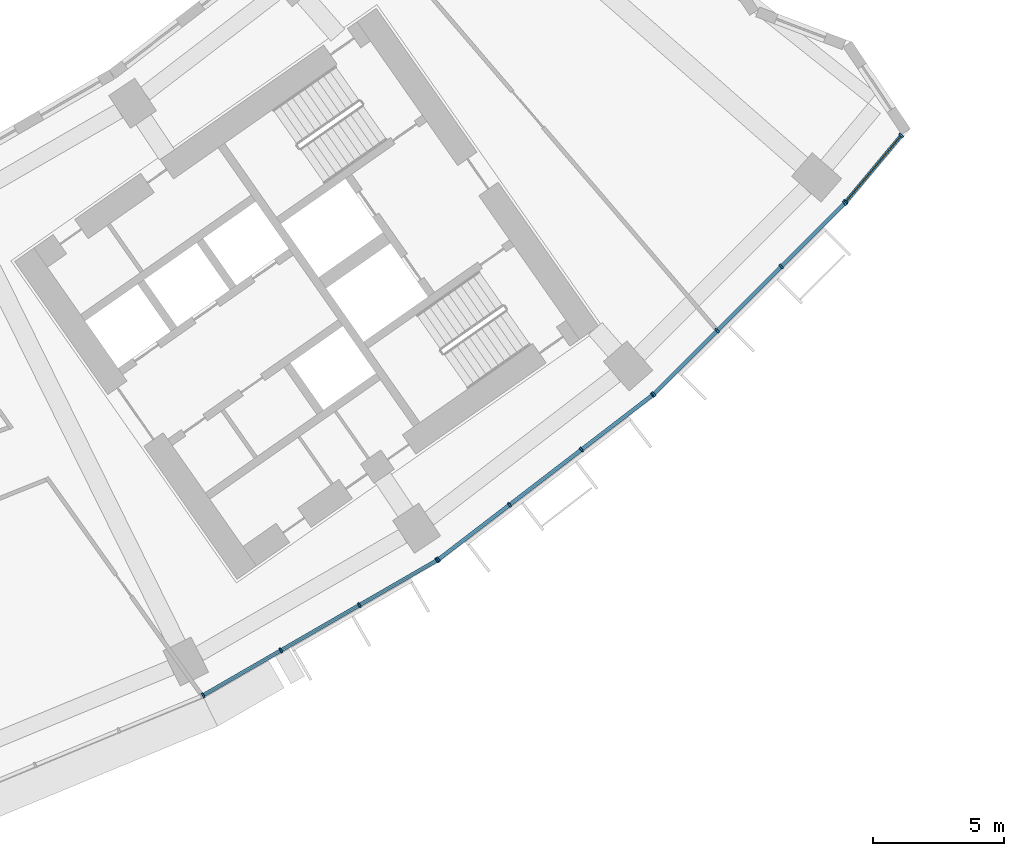
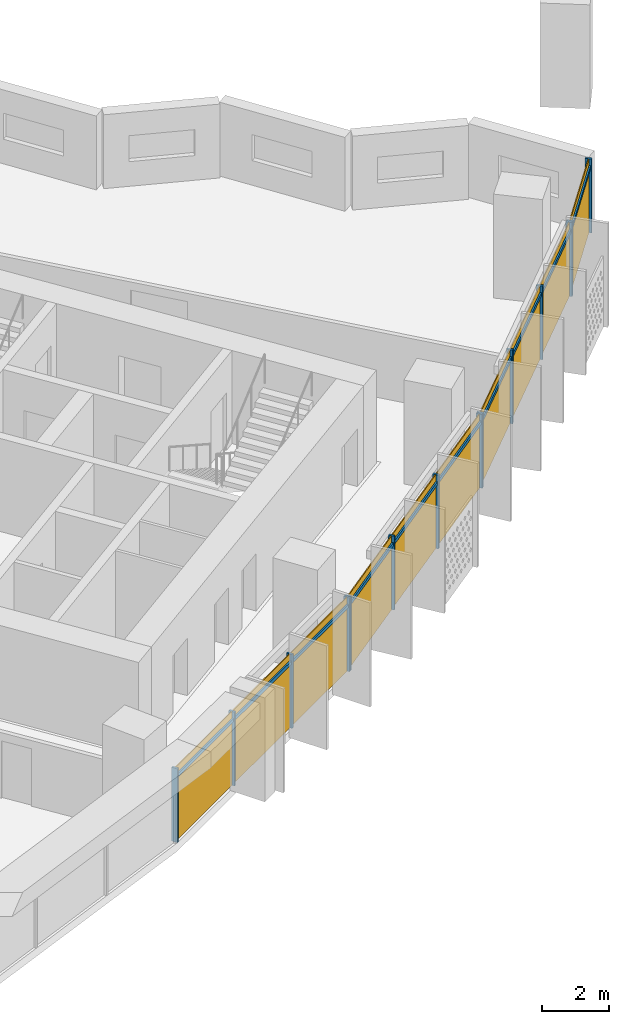
# One storey, part 21 of 28: 24 members, 4 curtain walls.
"""IFC4 building model written with IfcOpenShell, lengths in metres."""

from ifc_helpers import new_model, si_unit, direction, frame, origin, origin_2d, place, context, subcontext, project, spatial, rectangle, extrude, material, material_profile, profile_set, type_object, element, aggregate, save


model = new_model("IFC4")

# Units and contexts
model_context = context("Model", 3, precision=1e-05, world=origin(), true_north=direction((0.0, 1.0)))
body_context = subcontext(model_context, "Body", "Model", "MODEL_VIEW")
ifc_project = project(units=[si_unit("LENGTHUNIT", "METRE"), si_unit("AREAUNIT", "SQUARE_METRE"), si_unit("VOLUMEUNIT", "CUBIC_METRE"), si_unit("PLANEANGLEUNIT", "RADIAN"), si_unit("MASSUNIT", "GRAM", prefix="KILO")], contexts=[model_context])

# Member
ifc_material = material(Name="Aluminium 6063-T6 anodised", Category="aluminium")
ifc_material_profile_1 = material_profile(ifc_material, rectangle(XDim=0.199951171875, YDim=0.070068359375, at=origin_2d()))
ifc_profile_set_1 = profile_set([ifc_material_profile_1], Name="Aluminium 6063-T6 anodised")
member_type_1 = type_object("IfcMemberType", Name="Mullion 70 x 200 aluminium", PredefinedType="MULLION", material=ifc_profile_set_1)
site_placement = place(None, origin())
building_placement = place(site_placement, origin())
storey_placement = place(building_placement, frame((0.0, 0.0, 140.5)))
member_1_placement = place(storey_placement, frame((35.0537109375, -71.017822265625, 0.0), z_axis=(0.0, 0.0, 1.0), x_axis=(-0.5, 0.866025403784, 0.0)))
member_1 = element("IfcMember", 1, at=member_1_placement, type_object=member_type_1, Name="e-cw1-L32-out13/M00", PredefinedType="MULLION", context=body_context, shape_type="SweptSolid", body=[
    extrude(rectangle(XDim=0.199951171875, YDim=0.070068359375, at=origin_2d()), origin(), (0.0, 0.0, 1.0), 2.699951171875),
])

member_2_placement = place(storey_placement, frame((38.017822265625, -69.306640625, 0.0), z_axis=(0.0, 0.0, 1.0), x_axis=(-0.5, 0.866025403784, 0.0)))
member_2 = element("IfcMember", 2, at=member_2_placement, type_object=member_type_1, Name="e-cw1-L32-out13/M01", PredefinedType="MULLION", context=body_context, shape_type="SweptSolid", body=[
    extrude(rectangle(XDim=0.199951171875, YDim=0.070068359375, at=origin_2d()), origin(), (0.0, 0.0, 1.0), 2.699951171875),
])

member_3_placement = place(storey_placement, frame((41.01220703125, -67.577880859375, 0.0), z_axis=(0.0, 0.0, 1.0), x_axis=(-0.5, 0.866025403784, 0.0)))
member_3 = element("IfcMember", 3, at=member_3_placement, type_object=member_type_1, Name="e-cw1-L32-out13/M02", PredefinedType="MULLION", context=body_context, shape_type="SweptSolid", body=[
    extrude(rectangle(XDim=0.199951171875, YDim=0.070068359375, at=origin_2d()), origin(), (0.0, 0.0, 1.0), 2.699951171875),
])

member_4_placement = place(storey_placement, frame((43.976318359375, -65.866455078125, 0.0), z_axis=(0.0, 0.0, 1.0), x_axis=(-0.5, 0.866025403784, 0.0)))
member_4 = element("IfcMember", 4, at=member_4_placement, type_object=member_type_1, Name="e-cw1-L32-out13/M03", PredefinedType="MULLION", context=body_context, shape_type="SweptSolid", body=[
    extrude(rectangle(XDim=0.199951171875, YDim=0.070068359375, at=origin_2d()), origin(), (0.0, 0.0, 1.0), 2.699951171875),
])

member_5_placement = place(storey_placement, frame((44.023681640625, -65.8349609375, 0.0), z_axis=(0.0, 0.0, 1.0), x_axis=(-0.608761429009, 0.793353340291, 0.0)))
member_5 = element("IfcMember", 5, at=member_5_placement, type_object=member_type_1, Name="e-cw1-L32-out14/M00", PredefinedType="MULLION", context=body_context, shape_type="SweptSolid", body=[
    extrude(rectangle(XDim=0.199951171875, YDim=0.070068359375, at=origin_2d()), origin(), (0.0, 0.0, 1.0), 2.699951171875),
])

member_6_placement = place(storey_placement, frame((46.739013671875, -63.751220703125, 0.0), z_axis=(0.0, 0.0, 1.0), x_axis=(-0.608761429009, 0.793353340291, 0.0)))
member_6 = element("IfcMember", 6, at=member_6_placement, type_object=member_type_1, Name="e-cw1-L32-out14/M01", PredefinedType="MULLION", context=body_context, shape_type="SweptSolid", body=[
    extrude(rectangle(XDim=0.199951171875, YDim=0.070068359375, at=origin_2d()), origin(), (0.0, 0.0, 1.0), 2.699951171875),
])

member_7_placement = place(storey_placement, frame((49.482177734375, -61.646484375, 0.0), z_axis=(0.0, 0.0, 1.0), x_axis=(-0.608761429009, 0.793353340291, 0.0)))
member_7 = element("IfcMember", 7, at=member_7_placement, type_object=member_type_1, Name="e-cw1-L32-out14/M02", PredefinedType="MULLION", context=body_context, shape_type="SweptSolid", body=[
    extrude(rectangle(XDim=0.199951171875, YDim=0.070068359375, at=origin_2d()), origin(), (0.0, 0.0, 1.0), 2.699951171875),
])

member_8_placement = place(storey_placement, frame((52.197509765625, -59.56298828125, 0.0), z_axis=(0.0, 0.0, 1.0), x_axis=(-0.608761429009, 0.793353340291, 0.0)))
member_8 = element("IfcMember", 8, at=member_8_placement, type_object=member_type_1, Name="e-cw1-L32-out14/M03", PredefinedType="MULLION", context=body_context, shape_type="SweptSolid", body=[
    extrude(rectangle(XDim=0.199951171875, YDim=0.070068359375, at=origin_2d()), origin(), (0.0, 0.0, 1.0), 2.699951171875),
])

member_9_placement = place(storey_placement, frame((52.240234375, -59.525390625, 0.0), z_axis=(0.0, 0.0, 1.0), x_axis=(-0.707106781187, 0.707106781187, 0.0)))
member_9 = element("IfcMember", 9, at=member_9_placement, type_object=member_type_1, Name="e-cw1-L32-out15/M00", PredefinedType="MULLION", context=body_context, shape_type="SweptSolid", body=[
    extrude(rectangle(XDim=0.199951171875, YDim=0.070068359375, at=origin_2d()), origin(), (0.0, 0.0, 1.0), 2.699951171875),
])

member_10_placement = place(storey_placement, frame((54.660400390625, -57.105224609375, 0.0), z_axis=(0.0, 0.0, 1.0), x_axis=(-0.707106781187, 0.707106781187, 0.0)))
member_10 = element("IfcMember", 10, at=member_10_placement, type_object=member_type_1, Name="e-cw1-L32-out15/M01", PredefinedType="MULLION", context=body_context, shape_type="SweptSolid", body=[
    extrude(rectangle(XDim=0.199951171875, YDim=0.070068359375, at=origin_2d()), origin(), (0.0, 0.0, 1.0), 2.699951171875),
])

member_11_placement = place(storey_placement, frame((57.105224609375, -54.660400390625, 0.0), z_axis=(0.0, 0.0, 1.0), x_axis=(-0.707106781187, 0.707106781187, 0.0)))
member_11 = element("IfcMember", 11, at=member_11_placement, type_object=member_type_1, Name="e-cw1-L32-out15/M02", PredefinedType="MULLION", context=body_context, shape_type="SweptSolid", body=[
    extrude(rectangle(XDim=0.199951171875, YDim=0.070068359375, at=origin_2d()), origin(), (0.0, 0.0, 1.0), 2.699951171875),
])

member_12_placement = place(storey_placement, frame((59.525390625, -52.240234375, 0.0), z_axis=(0.0, 0.0, 1.0), x_axis=(-0.707106781187, 0.707106781187, 0.0)))
member_12 = element("IfcMember", 12, at=member_12_placement, type_object=member_type_1, Name="e-cw1-L32-out15/M03", PredefinedType="MULLION", context=body_context, shape_type="SweptSolid", body=[
    extrude(rectangle(XDim=0.199951171875, YDim=0.070068359375, at=origin_2d()), origin(), (0.0, 0.0, 1.0), 2.699951171875),
])

member_13_placement = place(storey_placement, frame((59.566650390625, -52.195068359375, 0.0), z_axis=(0.0, 0.0, 1.0), x_axis=(-0.767258362212, 0.641338136723, 0.0)))
member_13 = element("IfcMember", 13, at=member_13_placement, type_object=member_type_1, Name="e-cw1-L32-out16/M00", PredefinedType="MULLION", context=body_context, shape_type="SweptSolid", body=[
    extrude(rectangle(XDim=0.199951171875, YDim=0.070068359375, at=origin_2d()), origin(), (0.0, 0.0, 1.0), 2.699951171875),
])

member_14_placement = place(storey_placement, frame((61.68603515625, -49.65966796875, 0.0), z_axis=(0.0, 0.0, 1.0), x_axis=(-0.767258362212, 0.641338136723, 0.0)))
member_14 = element("IfcMember", 14, at=member_14_placement, type_object=member_type_1, Name="e-cw1-L32-out16/M01", PredefinedType="MULLION", context=body_context, shape_type="SweptSolid", body=[
    extrude(rectangle(XDim=0.199951171875, YDim=0.070068359375, at=origin_2d()), origin(), (0.0, 0.0, 1.0), 2.699951171875),
])

ifc_material_profile_2 = material_profile(ifc_material, rectangle(XDim=0.139892578125, YDim=0.1201171875, at=origin_2d()))
ifc_profile_set_2 = profile_set([ifc_material_profile_2], Name="Aluminium 6063-T6 anodised")
member_type_2 = type_object("IfcMemberType", Name="Transom 120 x 140 aluminium", PredefinedType="USERDEFINED", material=ifc_profile_set_2)
member_15_placement = place(storey_placement, frame((35.084228515625, -71.00048828125, 2.39990234375), z_axis=(0.865989120267, 0.50006283963, 0.0), x_axis=(-0.50006283963, 0.865989120267, 0.0)))
member_15 = element("IfcMember", 15, at=member_15_placement, type_object=member_type_2, Name="e-cw1-L32-out13/T00", ObjectType="TRANSOM", PredefinedType="USERDEFINED", context=body_context, shape_type="SweptSolid", body=[
    extrude(rectangle(XDim=0.139892578125, YDim=0.1201171875, at=origin_2d()), origin(), (0.0, 0.0, 1.0), 3.3525390625),
])

member_16_placement = place(storey_placement, frame((38.048095703125, -69.2890625, 2.39990234375), z_axis=(0.866025971257, 0.499999017107, 0.0), x_axis=(-0.499999017107, 0.866025971257, 0.0)))
member_16 = element("IfcMember", 16, at=member_16_placement, type_object=member_type_2, Name="e-cw1-L32-out13/T01", ObjectType="TRANSOM", PredefinedType="USERDEFINED", context=body_context, shape_type="SweptSolid", body=[
    extrude(rectangle(XDim=0.139892578125, YDim=0.1201171875, at=origin_2d()), origin(), (0.0, 0.0, 1.0), 3.3876953125),
])

member_17_placement = place(storey_placement, frame((41.042724609375, -67.560302734375, 2.39990234375), z_axis=(0.866020654818, 0.50000822536, 0.0), x_axis=(-0.50000822536, 0.866020654818, 0.0)))
member_17 = element("IfcMember", 17, at=member_17_placement, type_object=member_type_2, Name="e-cw1-L32-out13/T02", ObjectType="TRANSOM", PredefinedType="USERDEFINED", context=body_context, shape_type="SweptSolid", body=[
    extrude(rectangle(XDim=0.139892578125, YDim=0.1201171875, at=origin_2d()), origin(), (0.0, 0.0, 1.0), 3.3525390625),
])

member_18_placement = place(storey_placement, frame((44.05126953125, -65.8134765625, 2.39990234375), z_axis=(0.793389477316, 0.608714331426, 0.0), x_axis=(-0.608714331426, 0.793389477316, 0.0)))
member_18 = element("IfcMember", 18, at=member_18_placement, type_object=member_type_2, Name="e-cw1-L32-out14/T00", ObjectType="TRANSOM", PredefinedType="USERDEFINED", context=body_context, shape_type="SweptSolid", body=[
    extrude(rectangle(XDim=0.139892578125, YDim=0.1201171875, at=origin_2d()), origin(), (0.0, 0.0, 1.0), 3.3525390625),
])

member_19_placement = place(storey_placement, frame((46.766845703125, -63.72998046875, 2.39990234375), z_axis=(0.793344133173, 0.608773427772, 0.0), x_axis=(-0.608773427772, 0.793344133173, 0.0)))
member_19 = element("IfcMember", 19, at=member_19_placement, type_object=member_type_2, Name="e-cw1-L32-out14/T01", ObjectType="TRANSOM", PredefinedType="USERDEFINED", context=body_context, shape_type="SweptSolid", body=[
    extrude(rectangle(XDim=0.139892578125, YDim=0.1201171875, at=origin_2d()), origin(), (0.0, 0.0, 1.0), 3.387451171875),
])

member_20_placement = place(storey_placement, frame((49.509765625, -61.625244140625, 2.39990234375), z_axis=(0.793354308621, 0.608760167055, 0.0), x_axis=(-0.608760167055, 0.793354308621, 0.0)))
member_20 = element("IfcMember", 20, at=member_20_placement, type_object=member_type_2, Name="e-cw1-L32-out14/T02", ObjectType="TRANSOM", PredefinedType="USERDEFINED", context=body_context, shape_type="SweptSolid", body=[
    extrude(rectangle(XDim=0.139892578125, YDim=0.1201171875, at=origin_2d()), origin(), (0.0, 0.0, 1.0), 3.352783203125),
])

member_21_placement = place(storey_placement, frame((52.264892578125, -59.500732421875, 2.39990234375), z_axis=(0.707106781187, 0.707106781187, 0.0), x_axis=(-0.707106781187, 0.707106781187, 0.0)))
member_21 = element("IfcMember", 21, at=member_21_placement, type_object=member_type_2, Name="e-cw1-L32-out15/T00", ObjectType="TRANSOM", PredefinedType="USERDEFINED", context=body_context, shape_type="SweptSolid", body=[
    extrude(rectangle(XDim=0.139892578125, YDim=0.1201171875, at=origin_2d()), origin(), (0.0, 0.0, 1.0), 3.3525390625),
])

member_22_placement = place(storey_placement, frame((54.68505859375, -57.08056640625, 2.39990234375), z_axis=(0.707106781187, 0.707106781187, 0.0), x_axis=(-0.707106781187, 0.707106781187, 0.0)))
member_22 = element("IfcMember", 22, at=member_22_placement, type_object=member_type_2, Name="e-cw1-L32-out15/T01", ObjectType="TRANSOM", PredefinedType="USERDEFINED", context=body_context, shape_type="SweptSolid", body=[
    extrude(rectangle(XDim=0.139892578125, YDim=0.1201171875, at=origin_2d()), origin(), (0.0, 0.0, 1.0), 3.3876953125),
])

member_23_placement = place(storey_placement, frame((57.130126953125, -54.635498046875, 2.39990234375), z_axis=(0.707106781187, 0.707106781187, 0.0), x_axis=(-0.707106781187, 0.707106781187, 0.0)))
member_23 = element("IfcMember", 23, at=member_23_placement, type_object=member_type_2, Name="e-cw1-L32-out15/T02", ObjectType="TRANSOM", PredefinedType="USERDEFINED", context=body_context, shape_type="SweptSolid", body=[
    extrude(rectangle(XDim=0.139892578125, YDim=0.1201171875, at=origin_2d()), origin(), (0.0, 0.0, 1.0), 3.3525390625),
])

member_24_placement = place(storey_placement, frame((59.589111328125, -52.168212890625, 2.39990234375), z_axis=(0.641349264147, 0.767249060852, 0.0), x_axis=(-0.767249060852, 0.641349264147, 0.0)))
member_24 = element("IfcMember", 24, at=member_24_placement, type_object=member_type_2, Name="e-cw1-L32-out16/T00", ObjectType="TRANSOM", PredefinedType="USERDEFINED", context=body_context, shape_type="SweptSolid", body=[
    extrude(rectangle(XDim=0.139892578125, YDim=0.1201171875, at=origin_2d()), origin(), (0.0, 0.0, 1.0), 3.234619140625),
])

# Site, building, storey
site = spatial("IfcSite", under=ifc_project, at=site_placement, CompositionType="ELEMENT")
building = spatial("IfcBuilding", under=site, at=building_placement, Name="Qamariyya Broadcast Tower", CompositionType="ELEMENT")
storey = spatial("IfcBuildingStorey", under=building, at=storey_placement, Name="L32", CompositionType="ELEMENT", Elevation=140.5)

# Curtain wall
curtain_wall_type = type_object("IfcCurtainWallType", Name="Unitised curtain wall, anodised aluminium", PredefinedType="NOTDEFINED", material=ifc_material)
curtain_wall_1_placement = place(storey_placement, origin())
curtain_wall_1 = element("IfcCurtainWall", 25, at=curtain_wall_1_placement, inside=storey, type_object=curtain_wall_type, Name="e-cw1-L32-out13", PredefinedType="NOTDEFINED", context=body_context, shape_type="SweptSolid", body=[
    extrude(rectangle(XDim=3.352783203125, YDim=0.031982421875, at=origin_2d()), frame((36.535888671875, -70.162109375, 0.0), x_axis=(0.866027243369, 0.499996813733, 0.0)), (0.0, 0.0, 1.0), 2.340087890625),
    extrude(rectangle(XDim=3.352783203125, YDim=0.031982421875, at=origin_2d()), frame((36.535888671875, -70.162109375, 2.4599609375), x_axis=(0.866027243369, 0.499996813733, 0.0)), (0.0, 0.0, 1.0), 0.239990234375),
    extrude(rectangle(XDim=3.3876953125, YDim=0.031982421875, at=origin_2d()), frame((39.51513671875, -68.442138671875, 0.0), x_axis=(0.866027243369, 0.499996813733, 0.0)), (0.0, 0.0, 1.0), 2.340087890625),
    extrude(rectangle(XDim=3.3876953125, YDim=0.031982421875, at=origin_2d()), frame((39.51513671875, -68.442138671875, 2.4599609375), x_axis=(0.866027243369, 0.499996813733, 0.0)), (0.0, 0.0, 1.0), 0.239990234375),
    extrude(rectangle(XDim=3.352783203125, YDim=0.031982421875, at=origin_2d()), frame((42.494384765625, -66.72216796875, 0.0), x_axis=(0.866027243369, 0.499996813733, 0.0)), (0.0, 0.0, 1.0), 2.340087890625),
    extrude(rectangle(XDim=3.352783203125, YDim=0.031982421875, at=origin_2d()), frame((42.494384765625, -66.72216796875, 2.4599609375), x_axis=(0.866027243369, 0.499996813733, 0.0)), (0.0, 0.0, 1.0), 0.239990234375),
])

aggregate(curtain_wall_1, [member_1, member_2, member_3, member_4, member_15, member_16, member_17])

curtain_wall_2_placement = place(storey_placement, origin())
curtain_wall_2 = element("IfcCurtainWall", 26, at=curtain_wall_2_placement, inside=storey, type_object=curtain_wall_type, Name="e-cw1-L32-out14", PredefinedType="NOTDEFINED", context=body_context, shape_type="SweptSolid", body=[
    extrude(rectangle(XDim=3.352783203125, YDim=0.031982421875, at=origin_2d()), frame((45.38134765625, -64.793212890625, 0.0), x_axis=(0.793354000839, 0.608760568165, 0.0)), (0.0, 0.0, 1.0), 2.340087890625),
    extrude(rectangle(XDim=3.352783203125, YDim=0.031982421875, at=origin_2d()), frame((45.38134765625, -64.793212890625, 2.4599609375), x_axis=(0.793354000839, 0.608760568165, 0.0)), (0.0, 0.0, 1.0), 0.239990234375),
    extrude(rectangle(XDim=3.3876953125, YDim=0.031982421875, at=origin_2d()), frame((48.110595703125, -62.69873046875, 0.0), x_axis=(0.793354000839, 0.608760568165, 0.0)), (0.0, 0.0, 1.0), 2.340087890625),
    extrude(rectangle(XDim=3.3876953125, YDim=0.031982421875, at=origin_2d()), frame((48.110595703125, -62.69873046875, 2.4599609375), x_axis=(0.793354000839, 0.608760568165, 0.0)), (0.0, 0.0, 1.0), 0.239990234375),
    extrude(rectangle(XDim=3.352783203125, YDim=0.031982421875, at=origin_2d()), frame((50.83984375, -60.6044921875, 0.0), x_axis=(0.793354000839, 0.608760568165, 0.0)), (0.0, 0.0, 1.0), 2.340087890625),
    extrude(rectangle(XDim=3.352783203125, YDim=0.031982421875, at=origin_2d()), frame((50.83984375, -60.6044921875, 2.4599609375), x_axis=(0.793354000839, 0.608760568165, 0.0)), (0.0, 0.0, 1.0), 0.239990234375),
])

aggregate(curtain_wall_2, [member_5, member_6, member_7, member_8, member_18, member_19, member_20])

curtain_wall_3_placement = place(storey_placement, origin())
curtain_wall_3 = element("IfcCurtainWall", 27, at=curtain_wall_3_placement, inside=storey, type_object=curtain_wall_type, Name="e-cw1-L32-out15", PredefinedType="NOTDEFINED", context=body_context, shape_type="SweptSolid", body=[
    extrude(rectangle(XDim=3.352783203125, YDim=0.031982421875, at=origin_2d()), frame((53.4501953125, -58.3154296875, 0.0), x_axis=(0.707106781187, 0.707106781187, 0.0)), (0.0, 0.0, 1.0), 2.340087890625),
    extrude(rectangle(XDim=3.352783203125, YDim=0.031982421875, at=origin_2d()), frame((53.4501953125, -58.3154296875, 2.4599609375), x_axis=(0.707106781187, 0.707106781187, 0.0)), (0.0, 0.0, 1.0), 0.239990234375),
    extrude(rectangle(XDim=3.3876953125, YDim=0.031982421875, at=origin_2d()), frame((55.8828125, -55.8828125, 0.0), x_axis=(0.707106781187, 0.707106781187, 0.0)), (0.0, 0.0, 1.0), 2.340087890625),
    extrude(rectangle(XDim=3.3876953125, YDim=0.031982421875, at=origin_2d()), frame((55.8828125, -55.8828125, 2.4599609375), x_axis=(0.707106781187, 0.707106781187, 0.0)), (0.0, 0.0, 1.0), 0.239990234375),
    extrude(rectangle(XDim=3.352783203125, YDim=0.031982421875, at=origin_2d()), frame((58.3154296875, -53.4501953125, 0.0), x_axis=(0.707106781187, 0.707106781187, 0.0)), (0.0, 0.0, 1.0), 2.340087890625),
    extrude(rectangle(XDim=3.352783203125, YDim=0.031982421875, at=origin_2d()), frame((58.3154296875, -53.4501953125, 2.4599609375), x_axis=(0.707106781187, 0.707106781187, 0.0)), (0.0, 0.0, 1.0), 0.239990234375),
])

aggregate(curtain_wall_3, [member_9, member_10, member_11, member_12, member_21, member_22, member_23])

curtain_wall_4_placement = place(storey_placement, origin())
curtain_wall_4 = element("IfcCurtainWall", 28, at=curtain_wall_4_placement, inside=storey, type_object=curtain_wall_type, Name="e-cw1-L32-out16", PredefinedType="NOTDEFINED", context=body_context, shape_type="SweptSolid", body=[
    extrude(rectangle(XDim=3.234619140625, YDim=0.031982421875, at=origin_2d()), frame((60.62646484375, -50.92724609375, 0.0), x_axis=(0.641357811176, 0.767241916246, 0.0)), (0.0, 0.0, 1.0), 2.340087890625),
    extrude(rectangle(XDim=3.234619140625, YDim=0.031982421875, at=origin_2d()), frame((60.62646484375, -50.92724609375, 2.4599609375), x_axis=(0.641357811176, 0.767241916246, 0.0)), (0.0, 0.0, 1.0), 0.239990234375),
])

aggregate(curtain_wall_4, [member_13, member_14, member_24])

save(model, "model.ifc")
